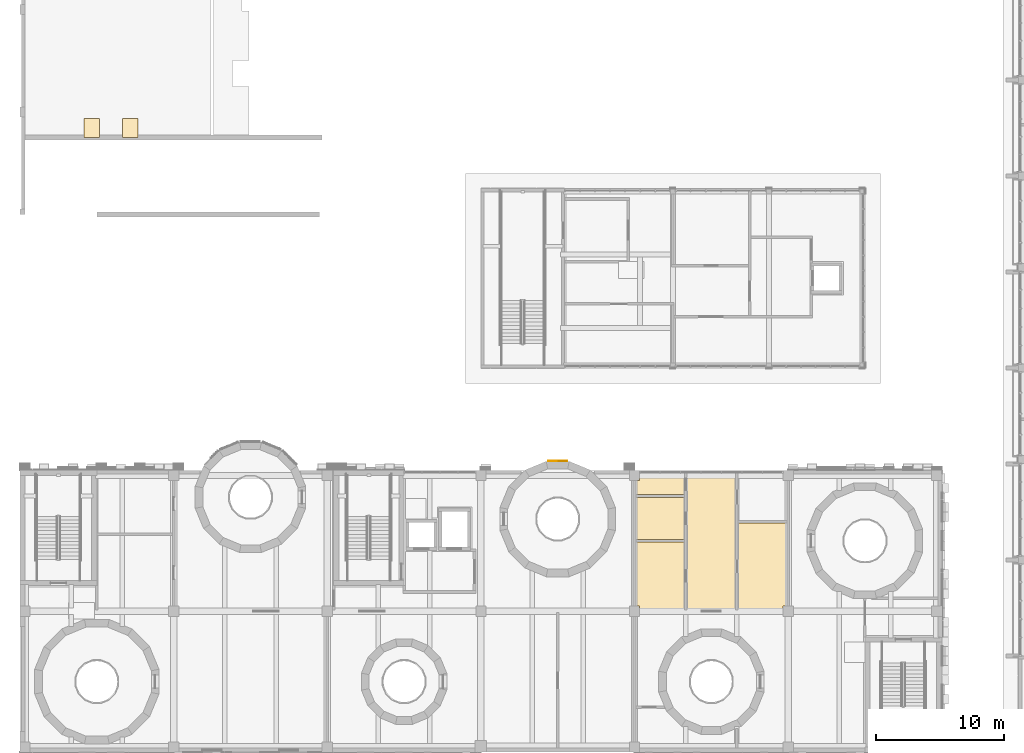
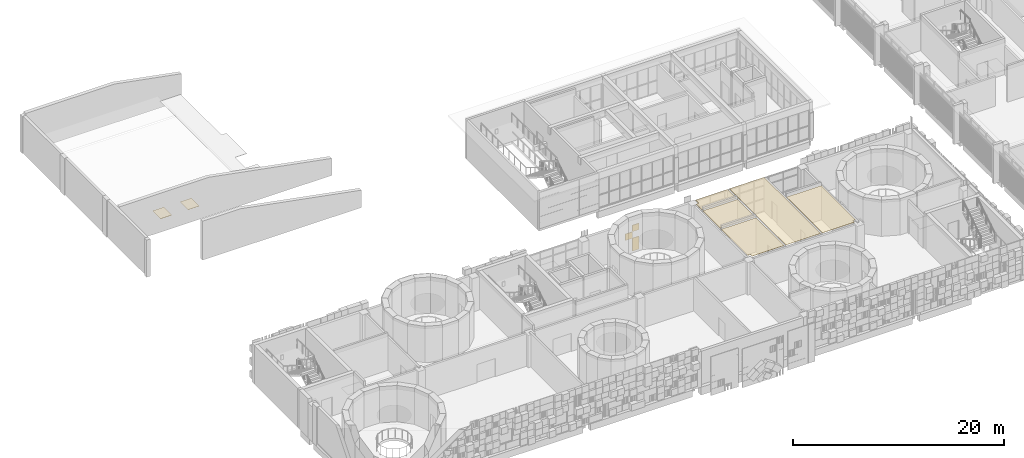
# One storey, part 69 of 92: 10 coverings.
"""IFC4 building model written with IfcOpenShell, lengths in metres."""

from ifc_helpers import new_model, si_unit, direction, frame, origin, origin_2d, place, context, subcontext, project, spatial, polyline, rectangle, outline, extrude, material, layer, layer_set, type_object, element, save


model = new_model("IFC4")

# Units and contexts
model_context = context("Model", 3, precision=1e-05, world=origin(), true_north=direction((0.0, 1.0)))
body_context = subcontext(model_context, "Body", "Model", "MODEL_VIEW")
ifc_project = project(units=[si_unit("LENGTHUNIT", "METRE"), si_unit("AREAUNIT", "SQUARE_METRE"), si_unit("VOLUMEUNIT", "CUBIC_METRE"), si_unit("PLANEANGLEUNIT", "RADIAN"), si_unit("MASSUNIT", "GRAM", prefix="KILO")], contexts=[model_context])

# Site, building, storey
site_placement = place(None, origin())
site = spatial("IfcSite", under=ifc_project, at=site_placement, CompositionType="ELEMENT")
building_placement = place(site_placement, origin())
building = spatial("IfcBuilding", under=site, at=building_placement, Name="Sun Court Science Centre", CompositionType="ELEMENT")
storey_placement = place(building_placement, frame((0.0, 0.0, 11.25)))
storey = spatial("IfcBuildingStorey", under=building, at=storey_placement, Name="L02", CompositionType="ELEMENT", Elevation=11.25)

# Coverings
ifc_material_1 = material(Name="Gypsum board")
ifc_layer_1 = layer(ifc_material_1, 0.030029296875)
ifc_layer_set_1 = layer_set([ifc_layer_1], Name="Gypsum board")
covering_type_1 = type_object("IfcCoveringType", Name="Ceiling suspended 600 module", PredefinedType="CEILING", material=ifc_layer_set_1)
covering_1_placement = place(storey_placement, frame((0.0, 0.0, 1.0576171875)))
element("IfcCovering", 1, at=covering_1_placement, inside=storey, type_object=covering_type_1, Name="L00-074 ceiling", PredefinedType="CEILING", context=body_context, shape_type="SweptSolid", body=[
    extrude(outline(polyline([(6.199951171875, 55.5), (6.199951171875, 54.0), (5.0, 54.0), (5.0, 55.5), (6.199951171875, 55.5)])), origin(), (0.0, 0.0, 1.0), 0.02978515625),
])
covering_2_placement = place(storey_placement, frame((0.0, 0.0, 1.0576171875)))
element("IfcCovering", 2, at=covering_2_placement, inside=storey, type_object=covering_type_1, Name="L00-075 ceiling", PredefinedType="CEILING", context=body_context, shape_type="SweptSolid", body=[
    extrude(outline(polyline([(9.199951171875, 55.5), (9.199951171875, 54.0), (8.0, 54.0), (8.0, 55.5), (9.199951171875, 55.5)])), origin(), (0.0, 0.0, 1.0), 0.02978515625),
])
covering_3_placement = place(storey_placement, frame((0.0, 0.0, 3.919921875)))
element("IfcCovering", 3, at=covering_3_placement, inside=storey, type_object=covering_type_1, Name="L02-020 ceiling", PredefinedType="CEILING", context=body_context, shape_type="SweptSolid", body=[
    extrude(outline(polyline([(48.10009765625, 17.39990234375), (48.10009765625, 22.39990234375), (51.89990234375, 22.39990234375), (51.89990234375, 17.10009765625), (48.39990234375, 17.10009765625), (48.39990234375, 17.39990234375), (48.10009765625, 17.39990234375)])), origin(), (0.0, 0.0, 1.0), 0.030029296875),
])
covering_4_placement = place(storey_placement, frame((0.0, 0.0, 3.919921875)))
element("IfcCovering", 4, at=covering_4_placement, inside=storey, type_object=covering_type_1, Name="L02-021 ceiling", PredefinedType="CEILING", context=body_context, shape_type="SweptSolid", body=[
    extrude(outline(polyline([(48.10009765625, 25.89990234375), (51.89990234375, 25.89990234375), (51.89990234375, 22.60009765625), (48.10009765625, 22.60009765625), (48.10009765625, 25.89990234375)])), origin(), (0.0, 0.0, 1.0), 0.030029296875),
])
covering_5_placement = place(storey_placement, frame((0.0, 0.0, 3.919921875)))
element("IfcCovering", 5, at=covering_5_placement, inside=storey, type_object=covering_type_1, Name="L02-022 ceiling", PredefinedType="CEILING", context=body_context, shape_type="SweptSolid", body=[
    extrude(outline(polyline([(51.89990234375, 27.800048828125), (51.89990234375, 26.10009765625), (48.10009765625, 26.10009765625), (48.10009765625, 27.199951171875), (48.39990234375, 27.199951171875), (48.39990234375, 27.800048828125), (51.89990234375, 27.800048828125)])), origin(), (0.0, 0.0, 1.0), 0.030029296875),
])
covering_6_placement = place(storey_placement, frame((0.0, 0.0, 3.919921875)))
element("IfcCovering", 6, at=covering_6_placement, inside=storey, type_object=covering_type_1, Name="L02-023 ceiling", PredefinedType="CEILING", context=body_context, shape_type="SweptSolid", body=[
    extrude(outline(polyline([(55.89990234375, 27.800048828125), (55.89990234375, 17.10009765625), (52.10009765625, 17.10009765625), (52.10009765625, 27.800048828125), (55.89990234375, 27.800048828125)])), origin(), (0.0, 0.0, 1.0), 0.030029296875),
])
covering_7_placement = place(storey_placement, frame((0.0, 0.0, 3.919921875)))
element("IfcCovering", 7, at=covering_7_placement, inside=storey, type_object=covering_type_1, Name="L02-024 ceiling", PredefinedType="CEILING", context=body_context, shape_type="SweptSolid", body=[
    extrude(outline(polyline([(56.10009765625, 17.10009765625), (56.10009765625, 23.89990234375), (59.89990234375, 23.89990234375), (59.89990234375, 17.39990234375), (59.60009765625, 17.39990234375), (59.60009765625, 17.10009765625), (56.10009765625, 17.10009765625)])), origin(), (0.0, 0.0, 1.0), 0.030029296875),
])
ifc_material_2 = material(Name="Terracotta shade 2", Category="masonry")
ifc_layer_2 = layer(ifc_material_2, 0.06005859375)
ifc_layer_set_2 = layer_set([ifc_layer_2], Name="Terracotta shade 2")
covering_type_2 = type_object("IfcCoveringType", Name="Terracotta pixel panel shade 2", PredefinedType="CLADDING", material=ifc_layer_set_2)
covering_8_placement = place(storey_placement, frame((0.0, 0.0, -11.25)))
element("IfcCovering", 8, at=covering_8_placement, inside=storey, type_object=covering_type_2, Name="Terracotta pixel cladding shade 2 cone 4 L02", PredefinedType="CLADDING", context=body_context, shape_type="SweptSolid", body=[
    extrude(rectangle(XDim=0.739990234375, YDim=0.06005859375, at=origin_2d()), frame((42.375, 28.74169921875, 10.955078125), z_axis=(0.0, 0.0, 1.0), x_axis=(1.0, 0.0, 0.0)), (0.0, 0.0, 1.0), 0.739990234375),
    extrude(rectangle(XDim=0.739990234375, YDim=0.06005859375, at=origin_2d()), frame((42.375, 28.74169921875, 11.705078125), z_axis=(0.0, 0.0, 1.0), x_axis=(1.0, 0.0, 0.0)), (0.0, 0.0, 1.0), 0.739990234375),
])
ifc_material_3 = material(Name="Terracotta shade 4", Category="masonry")
ifc_layer_3 = layer(ifc_material_3, 0.06005859375)
ifc_layer_set_3 = layer_set([ifc_layer_3], Name="Terracotta shade 4")
covering_type_3 = type_object("IfcCoveringType", Name="Terracotta pixel panel shade 4", PredefinedType="CLADDING", material=ifc_layer_set_3)
covering_9_placement = place(storey_placement, frame((0.0, 0.0, -11.25)))
element("IfcCovering", 9, at=covering_9_placement, inside=storey, type_object=covering_type_3, Name="Terracotta pixel cladding shade 4 cone 4 L02", PredefinedType="CLADDING", context=body_context, shape_type="SweptSolid", body=[
    extrude(rectangle(XDim=0.739990234375, YDim=0.06005859375, at=origin_2d()), frame((42.375, 28.74169921875, 13.205078125), z_axis=(0.0, 0.0, 1.0), x_axis=(1.0, 0.0, 0.0)), (0.0, 0.0, 1.0), 0.739990234375),
])
ifc_material_4 = material(Name="Terracotta shade 5", Category="masonry")
ifc_layer_4 = layer(ifc_material_4, 0.06005859375)
ifc_layer_set_4 = layer_set([ifc_layer_4], Name="Terracotta shade 5")
covering_type_4 = type_object("IfcCoveringType", Name="Terracotta pixel panel shade 5", PredefinedType="CLADDING", material=ifc_layer_set_4)
covering_10_placement = place(storey_placement, frame((0.0, 0.0, -11.25)))
element("IfcCovering", 10, at=covering_10_placement, inside=storey, type_object=covering_type_4, Name="Terracotta pixel cladding shade 5 cone 4 L02", PredefinedType="CLADDING", context=body_context, shape_type="SweptSolid", body=[
    extrude(rectangle(XDim=0.739990234375, YDim=0.06005859375, at=origin_2d()), frame((41.625, 28.74169921875, 12.455078125), z_axis=(0.0, 0.0, 1.0), x_axis=(1.0, 0.0, 0.0)), (0.0, 0.0, 1.0), 0.739990234375),
])

save(model, "model.ifc")
